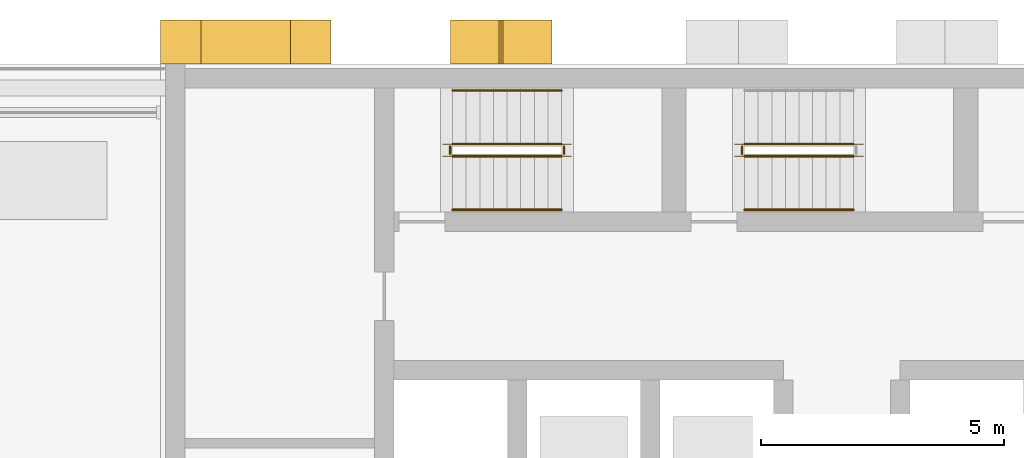
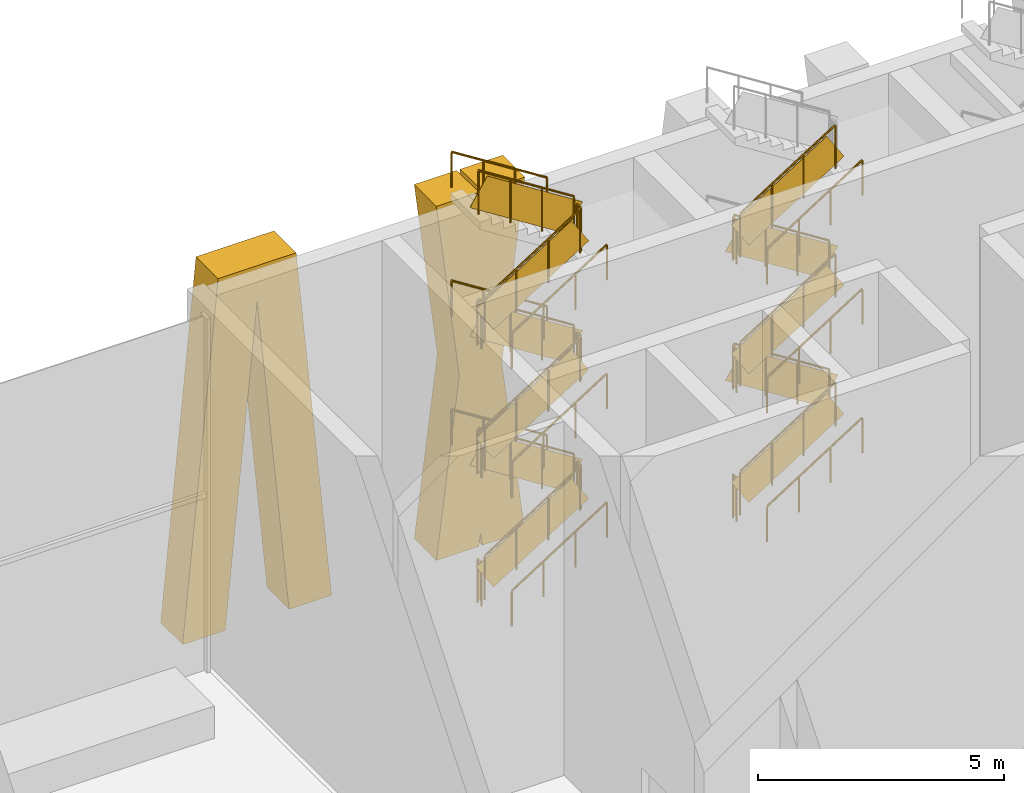
# One storey, part 12 of 15: 29 railings, 2 shading devices.
"""IFC4 building model written with IfcOpenShell, lengths in metres."""

from ifc_helpers import new_model, si_unit, direction, frame, origin, origin_2d, place, context, subcontext, project, spatial, polyline, rectangle, circle, outline, extrude, material, layer, layer_set, type_object, element, save


model = new_model("IFC4")

# Units and contexts
model_context = context("Model", 3, precision=1e-05, world=origin(), true_north=direction((0.0, 1.0)))
body_context = subcontext(model_context, "Body", "Model", "MODEL_VIEW")
ifc_project = project(units=[si_unit("LENGTHUNIT", "METRE"), si_unit("AREAUNIT", "SQUARE_METRE"), si_unit("VOLUMEUNIT", "CUBIC_METRE"), si_unit("PLANEANGLEUNIT", "RADIAN"), si_unit("MASSUNIT", "GRAM", prefix="KILO")], contexts=[model_context])

# Site, building, storey
site_placement = place(None, origin())
site = spatial("IfcSite", under=ifc_project, at=site_placement, CompositionType="ELEMENT")
building_placement = place(site_placement, origin())
building = spatial("IfcBuilding", under=site, at=building_placement, Name="Vidyagriha Tower", CompositionType="ELEMENT")
storey_placement = place(building_placement, frame((0.0, 0.0, 239.60009765625)))
storey = spatial("IfcBuildingStorey", under=building, at=storey_placement, Name="L63", CompositionType="ELEMENT", Elevation=239.60009765625)

# Shading devices
ifc_material_1 = material(Name="Precast concrete C40/50 with brick facing", Category="concrete")
ifc_layer = layer(ifc_material_1, 1.0)
ifc_layer_set = layer_set([ifc_layer], Name="Precast concrete C40/50 with brick facing")
shading_device_type = type_object("IfcShadingDeviceType", Name="Brick-faced rear rib forking 8 degrees", PredefinedType="USERDEFINED", material=ifc_layer_set)
shading_device_1_placement = place(storey_placement, frame((-5.9599609375, 20.449951171875, 0.0), z_axis=(0.0, 0.0, 1.0), x_axis=(-1.0, 0.0, 0.0)))
element("IfcShadingDevice", 1, at=shading_device_1_placement, inside=storey, type_object=shading_device_type, Name="Rear rib fork L63 R08.4a", ObjectType="BLADE FIN", PredefinedType="USERDEFINED", context=body_context, shape_type="SweptSolid", body=[
    extrude(outline(polyline([(1.0, 0.0), (1.0400390625, 0.32568359375), (1.080078125, 0.0), (2.080078125, 0.0), (1.5400390625, 4.39990234375), (2.080078125, 8.7998046875), (1.080078125, 8.7998046875), (1.0400390625, 8.47412109375), (1.0, 8.7998046875), (0.0, 8.7998046875), (0.5400390625, 4.39990234375), (0.0, 0.0), (1.0, 0.0)])), frame((0.0, 0.449951171875, 0.0), z_axis=(0.0, -1.0, 0.0), x_axis=(1.0, 0.0, 0.0)), (0.0, 0.0, 1.0), 0.89990234375),
])
shading_device_2_placement = place(storey_placement, frame((-10.5, 20.449951171875, 0.0), z_axis=(0.0, 0.0, 1.0), x_axis=(-1.0, 0.0, 0.0)))
element("IfcShadingDevice", 2, at=shading_device_2_placement, inside=storey, type_object=shading_device_type, Name="Rear rib fork L63 R08.5a", ObjectType="BLADE FIN", PredefinedType="USERDEFINED", context=body_context, shape_type="SweptSolid", body=[
    extrude(outline(polyline([(1.0, 0.0), (1.75, 7.919921875), (2.5, 0.0), (3.5, 0.0), (2.666748046875, 8.7998046875), (0.833251953125, 8.7998046875), (0.0, 0.0), (1.0, 0.0)])), frame((0.0, 0.449951171875, 0.0), z_axis=(0.0, -1.0, 0.0), x_axis=(1.0, 0.0, 0.0)), (0.0, 0.0, 1.0), 0.89990234375),
])

# Railings
ifc_material_2 = material(Name="Steel ASTM A500 Grade C", Category="steel")
railing_type_1 = type_object("IfcRailingType", Name="Stair guard 1100 mm, steel balustrade", PredefinedType="GUARDRAIL", material=ifc_material_2)
railing_1_placement = place(storey_placement, frame((-8.0, 18.10009765625, 0.177734375)))
element("IfcRailing", 3, at=railing_1_placement, inside=storey, type_object=railing_type_1, Name="L63 ST1 stair guard 1", PredefinedType="GUARDRAIL", context=body_context, shape_type="SweptSolid", body=[
    extrude(circle(Radius=0.02392578125, at=origin_2d()), frame((0.0, 0.0, 1.076171875), z_axis=(0.8442293374, 0.0, 0.53598211339), x_axis=(0.0, 1.0, 0.0)), (0.0, 0.0, 1.0), 2.6533203125),
    extrude(circle(Radius=0.02099609375, at=origin_2d()), origin(), (0.0, 0.0, 1.0), 1.052001953125),
    extrude(circle(Radius=0.02099609375, at=origin_2d()), frame((0.74658203125, 0.0, 0.47412109375)), (0.0, 0.0, 1.0), 1.052001953125),
    extrude(circle(Radius=0.02099609375, at=origin_2d()), frame((1.493408203125, 0.0, 0.947998046875)), (0.0, 0.0, 1.0), 1.052001953125),
    extrude(circle(Radius=0.02099609375, at=origin_2d()), frame((2.239990234375, 0.0, 1.422119140625)), (0.0, 0.0, 1.0), 1.052001953125),
    extrude(rectangle(XDim=0.010009765625, YDim=0.761474609375, at=origin_2d()), frame((0.0, 0.0, 0.551025390625), z_axis=(0.8442293374, 0.0, 0.53598211339), x_axis=(0.0, 1.0, 0.0)), (0.0, 0.0, 1.0), 2.6533203125),
])
railing_2_placement = place(storey_placement, frame((-5.7099609375, 18.14990234375, 1.599853515625)))
element("IfcRailing", 4, at=railing_2_placement, inside=storey, type_object=railing_type_1, Name="L63 ST1 stair guard 2", PredefinedType="GUARDRAIL", context=body_context, shape_type="SweptSolid", body=[
    extrude(circle(Radius=0.02392578125, at=origin_2d()), frame((0.0, 0.0, 1.076171875), z_axis=(0.0, 1.0, 0.0), x_axis=(-1.0, 0.0, 0.0)), (0.0, 0.0, 1.0), 0.150146484375),
    extrude(circle(Radius=0.02099609375, at=origin_2d()), origin(), (0.0, 0.0, 1.0), 1.052001953125),
    extrude(circle(Radius=0.02099609375, at=origin_2d()), frame((0.0, 0.150146484375, 0.0)), (0.0, 0.0, 1.0), 1.052001953125),
    extrude(rectangle(XDim=0.010009765625, YDim=0.902099609375, at=origin_2d()), frame((0.0, 0.0, 0.551025390625), z_axis=(0.0, 1.0, 0.0), x_axis=(-1.0, 0.0, 0.0)), (0.0, 0.0, 1.0), 0.150146484375),
])
railing_3_placement = place(storey_placement, frame((-5.760009765625, 18.35009765625, 1.777587890625)))
element("IfcRailing", 5, at=railing_3_placement, inside=storey, type_object=railing_type_1, Name="L63 ST1 stair guard 3", PredefinedType="GUARDRAIL", context=body_context, shape_type="SweptSolid", body=[
    extrude(circle(Radius=0.02392578125, at=origin_2d()), frame((0.0, 0.0, 1.076171875), z_axis=(-0.84418770128, 0.0, 0.536047689118), x_axis=(0.0, -1.0, 0.0)), (0.0, 0.0, 1.0), 2.6533203125),
    extrude(circle(Radius=0.02099609375, at=origin_2d()), origin(), (0.0, 0.0, 1.0), 1.052001953125),
    extrude(circle(Radius=0.02099609375, at=origin_2d()), frame((-0.74658203125, 0.0, 0.47412109375)), (0.0, 0.0, 1.0), 1.052001953125),
    extrude(circle(Radius=0.02099609375, at=origin_2d()), frame((-1.493408203125, 0.0, 0.9482421875)), (0.0, 0.0, 1.0), 1.052001953125),
    extrude(circle(Radius=0.02099609375, at=origin_2d()), frame((-2.239990234375, 0.0, 1.42236328125)), (0.0, 0.0, 1.0), 1.052001953125),
    extrude(rectangle(XDim=0.010009765625, YDim=0.761474609375, at=origin_2d()), frame((0.0, 0.0, 0.551025390625), z_axis=(-0.84418770128, 0.0, 0.536047689118), x_axis=(0.0, -1.0, 0.0)), (0.0, 0.0, 1.0), 2.6533203125),
])
railing_4_placement = place(storey_placement, frame((-8.050048828125, 18.14990234375, 3.199951171875)))
element("IfcRailing", 6, at=railing_4_placement, inside=storey, type_object=railing_type_1, Name="L63 ST1 stair guard 4", PredefinedType="GUARDRAIL", context=body_context, shape_type="SweptSolid", body=[
    extrude(circle(Radius=0.02392578125, at=origin_2d()), frame((0.0, 0.0, 1.076171875), z_axis=(0.0, 1.0, 0.0), x_axis=(-1.0, 0.0, 0.0)), (0.0, 0.0, 1.0), 0.150146484375),
    extrude(circle(Radius=0.02099609375, at=origin_2d()), origin(), (0.0, 0.0, 1.0), 1.052001953125),
    extrude(circle(Radius=0.02099609375, at=origin_2d()), frame((0.0, 0.150146484375, 0.0)), (0.0, 0.0, 1.0), 1.052001953125),
    extrude(rectangle(XDim=0.010009765625, YDim=0.902099609375, at=origin_2d()), frame((0.0, 0.0, 0.551025390625), z_axis=(0.0, 1.0, 0.0), x_axis=(-1.0, 0.0, 0.0)), (0.0, 0.0, 1.0), 0.150146484375),
])
railing_5_placement = place(storey_placement, frame((-8.0, 18.10009765625, 3.377685546875)))
element("IfcRailing", 7, at=railing_5_placement, inside=storey, type_object=railing_type_1, Name="L63 ST1 stair guard 5", PredefinedType="GUARDRAIL", context=body_context, shape_type="SweptSolid", body=[
    extrude(circle(Radius=0.02392578125, at=origin_2d()), frame((0.0, 0.0, 1.076171875), z_axis=(0.8442293374, 0.0, 0.53598211339), x_axis=(0.0, 1.0, 0.0)), (0.0, 0.0, 1.0), 2.6533203125),
    extrude(circle(Radius=0.02099609375, at=origin_2d()), origin(), (0.0, 0.0, 1.0), 1.052001953125),
    extrude(circle(Radius=0.02099609375, at=origin_2d()), frame((0.74658203125, 0.0, 0.47412109375)), (0.0, 0.0, 1.0), 1.052001953125),
    extrude(circle(Radius=0.02099609375, at=origin_2d()), frame((1.493408203125, 0.0, 0.947998046875)), (0.0, 0.0, 1.0), 1.052001953125),
    extrude(circle(Radius=0.02099609375, at=origin_2d()), frame((2.239990234375, 0.0, 1.422119140625)), (0.0, 0.0, 1.0), 1.052001953125),
    extrude(rectangle(XDim=0.010009765625, YDim=0.761474609375, at=origin_2d()), frame((0.0, 0.0, 0.551025390625), z_axis=(0.8442293374, 0.0, 0.53598211339), x_axis=(0.0, 1.0, 0.0)), (0.0, 0.0, 1.0), 2.6533203125),
])
railing_6_placement = place(storey_placement, frame((-5.7099609375, 18.14990234375, 4.7998046875)))
element("IfcRailing", 8, at=railing_6_placement, inside=storey, type_object=railing_type_1, Name="L63 ST1 stair guard 6", PredefinedType="GUARDRAIL", context=body_context, shape_type="SweptSolid", body=[
    extrude(circle(Radius=0.02392578125, at=origin_2d()), frame((0.0, 0.0, 1.076171875), z_axis=(0.0, 1.0, 0.0), x_axis=(-1.0, 0.0, 0.0)), (0.0, 0.0, 1.0), 0.150146484375),
    extrude(circle(Radius=0.02099609375, at=origin_2d()), origin(), (0.0, 0.0, 1.0), 1.052001953125),
    extrude(circle(Radius=0.02099609375, at=origin_2d()), frame((0.0, 0.150146484375, 0.0)), (0.0, 0.0, 1.0), 1.052001953125),
    extrude(rectangle(XDim=0.010009765625, YDim=0.902099609375, at=origin_2d()), frame((0.0, 0.0, 0.551025390625), z_axis=(0.0, 1.0, 0.0), x_axis=(-1.0, 0.0, 0.0)), (0.0, 0.0, 1.0), 0.150146484375),
])
railing_7_placement = place(storey_placement, frame((-5.760009765625, 18.35009765625, 4.977783203125)))
element("IfcRailing", 9, at=railing_7_placement, inside=storey, type_object=railing_type_1, Name="L63 ST1 stair guard 7", PredefinedType="GUARDRAIL", context=body_context, shape_type="SweptSolid", body=[
    extrude(circle(Radius=0.02392578125, at=origin_2d()), frame((0.0, 0.0, 1.076171875), z_axis=(-0.8442293374, 0.0, 0.53598211339), x_axis=(0.0, -1.0, 0.0)), (0.0, 0.0, 1.0), 2.6533203125),
    extrude(circle(Radius=0.02099609375, at=origin_2d()), origin(), (0.0, 0.0, 1.0), 1.052001953125),
    extrude(circle(Radius=0.02099609375, at=origin_2d()), frame((-0.74658203125, 0.0, 0.47412109375)), (0.0, 0.0, 1.0), 1.052001953125),
    extrude(circle(Radius=0.02099609375, at=origin_2d()), frame((-1.493408203125, 0.0, 0.947998046875)), (0.0, 0.0, 1.0), 1.052001953125),
    extrude(circle(Radius=0.02099609375, at=origin_2d()), frame((-2.239990234375, 0.0, 1.422119140625)), (0.0, 0.0, 1.0), 1.052001953125),
    extrude(rectangle(XDim=0.010009765625, YDim=0.761474609375, at=origin_2d()), frame((0.0, 0.0, 0.551025390625), z_axis=(-0.8442293374, 0.0, 0.53598211339), x_axis=(0.0, -1.0, 0.0)), (0.0, 0.0, 1.0), 2.6533203125),
])
railing_8_placement = place(storey_placement, frame((-8.050048828125, 18.14990234375, 6.39990234375)))
element("IfcRailing", 10, at=railing_8_placement, inside=storey, type_object=railing_type_1, Name="L63 ST1 stair guard 8", PredefinedType="GUARDRAIL", context=body_context, shape_type="SweptSolid", body=[
    extrude(circle(Radius=0.02392578125, at=origin_2d()), frame((0.0, 0.0, 1.076171875), z_axis=(0.0, 1.0, 0.0), x_axis=(-1.0, 0.0, 0.0)), (0.0, 0.0, 1.0), 0.150146484375),
    extrude(circle(Radius=0.02099609375, at=origin_2d()), origin(), (0.0, 0.0, 1.0), 1.052001953125),
    extrude(circle(Radius=0.02099609375, at=origin_2d()), frame((0.0, 0.150146484375, 0.0)), (0.0, 0.0, 1.0), 1.052001953125),
    extrude(rectangle(XDim=0.010009765625, YDim=0.902099609375, at=origin_2d()), frame((0.0, 0.0, 0.551025390625), z_axis=(0.0, 1.0, 0.0), x_axis=(-1.0, 0.0, 0.0)), (0.0, 0.0, 1.0), 0.150146484375),
])
railing_9_placement = place(storey_placement, frame((-8.0, 18.10009765625, 6.57763671875)))
element("IfcRailing", 11, at=railing_9_placement, inside=storey, type_object=railing_type_1, Name="L63 ST1 stair guard 9", PredefinedType="GUARDRAIL", context=body_context, shape_type="SweptSolid", body=[
    extrude(circle(Radius=0.02392578125, at=origin_2d()), frame((0.0, 0.0, 1.076171875), z_axis=(0.84418770128, 0.0, 0.536047689118), x_axis=(0.0, 1.0, 0.0)), (0.0, 0.0, 1.0), 2.6533203125),
    extrude(circle(Radius=0.02099609375, at=origin_2d()), origin(), (0.0, 0.0, 1.0), 1.052001953125),
    extrude(circle(Radius=0.02099609375, at=origin_2d()), frame((0.74658203125, 0.0, 0.47412109375)), (0.0, 0.0, 1.0), 1.052001953125),
    extrude(circle(Radius=0.02099609375, at=origin_2d()), frame((1.493408203125, 0.0, 0.9482421875)), (0.0, 0.0, 1.0), 1.052001953125),
    extrude(circle(Radius=0.02099609375, at=origin_2d()), frame((2.239990234375, 0.0, 1.42236328125)), (0.0, 0.0, 1.0), 1.052001953125),
    extrude(rectangle(XDim=0.010009765625, YDim=0.761474609375, at=origin_2d()), frame((0.0, 0.0, 0.551025390625), z_axis=(0.84418770128, 0.0, 0.536047689118), x_axis=(0.0, 1.0, 0.0)), (0.0, 0.0, 1.0), 2.6533203125),
])
railing_10_placement = place(storey_placement, frame((-5.7099609375, 18.14990234375, 8.0)))
element("IfcRailing", 12, at=railing_10_placement, inside=storey, type_object=railing_type_1, Name="L63 ST1 stair guard 10", PredefinedType="GUARDRAIL", context=body_context, shape_type="SweptSolid", body=[
    extrude(circle(Radius=0.02392578125, at=origin_2d()), frame((0.0, 0.0, 1.076171875), z_axis=(0.0, 1.0, 0.0), x_axis=(-1.0, 0.0, 0.0)), (0.0, 0.0, 1.0), 0.150146484375),
    extrude(circle(Radius=0.02099609375, at=origin_2d()), origin(), (0.0, 0.0, 1.0), 1.052001953125),
    extrude(circle(Radius=0.02099609375, at=origin_2d()), frame((0.0, 0.150146484375, 0.0)), (0.0, 0.0, 1.0), 1.052001953125),
    extrude(rectangle(XDim=0.010009765625, YDim=0.902099609375, at=origin_2d()), frame((0.0, 0.0, 0.551025390625), z_axis=(0.0, 1.0, 0.0), x_axis=(-1.0, 0.0, 0.0)), (0.0, 0.0, 1.0), 0.150146484375),
])
railing_11_placement = place(storey_placement, frame((-5.760009765625, 18.35009765625, 8.177734375)))
element("IfcRailing", 13, at=railing_11_placement, inside=storey, type_object=railing_type_1, Name="L63 ST1 stair guard 11", PredefinedType="GUARDRAIL", context=body_context, shape_type="SweptSolid", body=[
    extrude(circle(Radius=0.02392578125, at=origin_2d()), frame((0.0, 0.0, 1.076171875), z_axis=(-0.8442293374, 0.0, 0.53598211339), x_axis=(0.0, -1.0, 0.0)), (0.0, 0.0, 1.0), 2.6533203125),
    extrude(circle(Radius=0.02099609375, at=origin_2d()), origin(), (0.0, 0.0, 1.0), 1.052001953125),
    extrude(circle(Radius=0.02099609375, at=origin_2d()), frame((-0.74658203125, 0.0, 0.47412109375)), (0.0, 0.0, 1.0), 1.052001953125),
    extrude(circle(Radius=0.02099609375, at=origin_2d()), frame((-1.493408203125, 0.0, 0.947998046875)), (0.0, 0.0, 1.0), 1.052001953125),
    extrude(circle(Radius=0.02099609375, at=origin_2d()), frame((-2.239990234375, 0.0, 1.422119140625)), (0.0, 0.0, 1.0), 1.052001953125),
    extrude(rectangle(XDim=0.010009765625, YDim=0.761474609375, at=origin_2d()), frame((0.0, 0.0, 0.551025390625), z_axis=(-0.8442293374, 0.0, 0.53598211339), x_axis=(0.0, -1.0, 0.0)), (0.0, 0.0, 1.0), 2.6533203125),
])
railing_12_placement = place(storey_placement, frame((-8.050048828125, 18.14990234375, 0.0)))
element("IfcRailing", 14, at=railing_12_placement, inside=storey, type_object=railing_type_1, Name="L63 ST1 stair guard 12", PredefinedType="GUARDRAIL", context=body_context, shape_type="SweptSolid", body=[
    extrude(circle(Radius=0.02392578125, at=origin_2d()), frame((0.0, 0.0, 1.076171875), z_axis=(0.0, 1.0, 0.0), x_axis=(-1.0, 0.0, 0.0)), (0.0, 0.0, 1.0), 0.150146484375),
    extrude(circle(Radius=0.02099609375, at=origin_2d()), origin(), (0.0, 0.0, 1.0), 1.052001953125),
    extrude(circle(Radius=0.02099609375, at=origin_2d()), frame((0.0, 0.150146484375, 0.0)), (0.0, 0.0, 1.0), 1.052001953125),
    extrude(rectangle(XDim=0.010009765625, YDim=0.902099609375, at=origin_2d()), frame((0.0, 0.0, 0.551025390625), z_axis=(0.0, 1.0, 0.0), x_axis=(-1.0, 0.0, 0.0)), (0.0, 0.0, 1.0), 0.150146484375),
])
railing_13_placement = place(storey_placement, frame((-2.0, 18.10009765625, 0.177734375)))
element("IfcRailing", 15, at=railing_13_placement, inside=storey, type_object=railing_type_1, Name="L63 ST2 stair guard 1", PredefinedType="GUARDRAIL", context=body_context, shape_type="SweptSolid", body=[
    extrude(circle(Radius=0.02392578125, at=origin_2d()), frame((0.0, 0.0, 1.076171875), z_axis=(0.8442293374, 0.0, 0.53598211339), x_axis=(0.0, 1.0, 0.0)), (0.0, 0.0, 1.0), 2.6533203125),
    extrude(circle(Radius=0.02099609375, at=origin_2d()), origin(), (0.0, 0.0, 1.0), 1.052001953125),
    extrude(circle(Radius=0.02099609375, at=origin_2d()), frame((0.74658203125, 0.0, 0.47412109375)), (0.0, 0.0, 1.0), 1.052001953125),
    extrude(circle(Radius=0.02099609375, at=origin_2d()), frame((1.493408203125, 0.0, 0.947998046875)), (0.0, 0.0, 1.0), 1.052001953125),
    extrude(circle(Radius=0.02099609375, at=origin_2d()), frame((2.239990234375, 0.0, 1.422119140625)), (0.0, 0.0, 1.0), 1.052001953125),
    extrude(rectangle(XDim=0.010009765625, YDim=0.761474609375, at=origin_2d()), frame((0.0, 0.0, 0.551025390625), z_axis=(0.8442293374, 0.0, 0.53598211339), x_axis=(0.0, 1.0, 0.0)), (0.0, 0.0, 1.0), 2.6533203125),
])
railing_14_placement = place(storey_placement, frame((0.239990234375, 18.35009765625, 1.777587890625)))
element("IfcRailing", 16, at=railing_14_placement, inside=storey, type_object=railing_type_1, Name="L63 ST2 stair guard 3", PredefinedType="GUARDRAIL", context=body_context, shape_type="SweptSolid", body=[
    extrude(circle(Radius=0.02392578125, at=origin_2d()), frame((0.0, 0.0, 1.076171875), z_axis=(-0.84418770128, 0.0, 0.536047689118), x_axis=(0.0, -1.0, 0.0)), (0.0, 0.0, 1.0), 2.6533203125),
    extrude(circle(Radius=0.02099609375, at=origin_2d()), origin(), (0.0, 0.0, 1.0), 1.052001953125),
    extrude(circle(Radius=0.02099609375, at=origin_2d()), frame((-0.74658203125, 0.0, 0.47412109375)), (0.0, 0.0, 1.0), 1.052001953125),
    extrude(circle(Radius=0.02099609375, at=origin_2d()), frame((-1.493408203125, 0.0, 0.9482421875)), (0.0, 0.0, 1.0), 1.052001953125),
    extrude(circle(Radius=0.02099609375, at=origin_2d()), frame((-2.239990234375, 0.0, 1.42236328125)), (0.0, 0.0, 1.0), 1.052001953125),
    extrude(rectangle(XDim=0.010009765625, YDim=0.761474609375, at=origin_2d()), frame((0.0, 0.0, 0.551025390625), z_axis=(-0.84418770128, 0.0, 0.536047689118), x_axis=(0.0, -1.0, 0.0)), (0.0, 0.0, 1.0), 2.6533203125),
])
railing_15_placement = place(storey_placement, frame((-2.050048828125, 18.14990234375, 3.199951171875)))
element("IfcRailing", 17, at=railing_15_placement, inside=storey, type_object=railing_type_1, Name="L63 ST2 stair guard 4", PredefinedType="GUARDRAIL", context=body_context, shape_type="SweptSolid", body=[
    extrude(circle(Radius=0.02392578125, at=origin_2d()), frame((0.0, 0.0, 1.076171875), z_axis=(0.0, 1.0, 0.0), x_axis=(-1.0, 0.0, 0.0)), (0.0, 0.0, 1.0), 0.150146484375),
    extrude(circle(Radius=0.02099609375, at=origin_2d()), origin(), (0.0, 0.0, 1.0), 1.052001953125),
    extrude(circle(Radius=0.02099609375, at=origin_2d()), frame((0.0, 0.150146484375, 0.0)), (0.0, 0.0, 1.0), 1.052001953125),
    extrude(rectangle(XDim=0.010009765625, YDim=0.902099609375, at=origin_2d()), frame((0.0, 0.0, 0.551025390625), z_axis=(0.0, 1.0, 0.0), x_axis=(-1.0, 0.0, 0.0)), (0.0, 0.0, 1.0), 0.150146484375),
])
railing_16_placement = place(storey_placement, frame((-2.0, 18.10009765625, 3.377685546875)))
element("IfcRailing", 18, at=railing_16_placement, inside=storey, type_object=railing_type_1, Name="L63 ST2 stair guard 5", PredefinedType="GUARDRAIL", context=body_context, shape_type="SweptSolid", body=[
    extrude(circle(Radius=0.02392578125, at=origin_2d()), frame((0.0, 0.0, 1.076171875), z_axis=(0.8442293374, 0.0, 0.53598211339), x_axis=(0.0, 1.0, 0.0)), (0.0, 0.0, 1.0), 2.6533203125),
    extrude(circle(Radius=0.02099609375, at=origin_2d()), origin(), (0.0, 0.0, 1.0), 1.052001953125),
    extrude(circle(Radius=0.02099609375, at=origin_2d()), frame((0.74658203125, 0.0, 0.47412109375)), (0.0, 0.0, 1.0), 1.052001953125),
    extrude(circle(Radius=0.02099609375, at=origin_2d()), frame((1.493408203125, 0.0, 0.947998046875)), (0.0, 0.0, 1.0), 1.052001953125),
    extrude(circle(Radius=0.02099609375, at=origin_2d()), frame((2.239990234375, 0.0, 1.422119140625)), (0.0, 0.0, 1.0), 1.052001953125),
    extrude(rectangle(XDim=0.010009765625, YDim=0.761474609375, at=origin_2d()), frame((0.0, 0.0, 0.551025390625), z_axis=(0.8442293374, 0.0, 0.53598211339), x_axis=(0.0, 1.0, 0.0)), (0.0, 0.0, 1.0), 2.6533203125),
])
railing_17_placement = place(storey_placement, frame((0.239990234375, 18.35009765625, 4.977783203125)))
element("IfcRailing", 19, at=railing_17_placement, inside=storey, type_object=railing_type_1, Name="L63 ST2 stair guard 7", PredefinedType="GUARDRAIL", context=body_context, shape_type="SweptSolid", body=[
    extrude(circle(Radius=0.02392578125, at=origin_2d()), frame((0.0, 0.0, 1.076171875), z_axis=(-0.8442293374, 0.0, 0.53598211339), x_axis=(0.0, -1.0, 0.0)), (0.0, 0.0, 1.0), 2.6533203125),
    extrude(circle(Radius=0.02099609375, at=origin_2d()), origin(), (0.0, 0.0, 1.0), 1.052001953125),
    extrude(circle(Radius=0.02099609375, at=origin_2d()), frame((-0.74658203125, 0.0, 0.47412109375)), (0.0, 0.0, 1.0), 1.052001953125),
    extrude(circle(Radius=0.02099609375, at=origin_2d()), frame((-1.493408203125, 0.0, 0.947998046875)), (0.0, 0.0, 1.0), 1.052001953125),
    extrude(circle(Radius=0.02099609375, at=origin_2d()), frame((-2.239990234375, 0.0, 1.422119140625)), (0.0, 0.0, 1.0), 1.052001953125),
    extrude(rectangle(XDim=0.010009765625, YDim=0.761474609375, at=origin_2d()), frame((0.0, 0.0, 0.551025390625), z_axis=(-0.8442293374, 0.0, 0.53598211339), x_axis=(0.0, -1.0, 0.0)), (0.0, 0.0, 1.0), 2.6533203125),
])
railing_18_placement = place(storey_placement, frame((-2.050048828125, 18.14990234375, 6.39990234375)))
element("IfcRailing", 20, at=railing_18_placement, inside=storey, type_object=railing_type_1, Name="L63 ST2 stair guard 8", PredefinedType="GUARDRAIL", context=body_context, shape_type="SweptSolid", body=[
    extrude(circle(Radius=0.02392578125, at=origin_2d()), frame((0.0, 0.0, 1.076171875), z_axis=(0.0, 1.0, 0.0), x_axis=(-1.0, 0.0, 0.0)), (0.0, 0.0, 1.0), 0.150146484375),
    extrude(circle(Radius=0.02099609375, at=origin_2d()), origin(), (0.0, 0.0, 1.0), 1.052001953125),
    extrude(circle(Radius=0.02099609375, at=origin_2d()), frame((0.0, 0.150146484375, 0.0)), (0.0, 0.0, 1.0), 1.052001953125),
    extrude(rectangle(XDim=0.010009765625, YDim=0.902099609375, at=origin_2d()), frame((0.0, 0.0, 0.551025390625), z_axis=(0.0, 1.0, 0.0), x_axis=(-1.0, 0.0, 0.0)), (0.0, 0.0, 1.0), 0.150146484375),
])
railing_19_placement = place(storey_placement, frame((-2.0, 18.10009765625, 6.57763671875)))
element("IfcRailing", 21, at=railing_19_placement, inside=storey, type_object=railing_type_1, Name="L63 ST2 stair guard 9", PredefinedType="GUARDRAIL", context=body_context, shape_type="SweptSolid", body=[
    extrude(circle(Radius=0.02392578125, at=origin_2d()), frame((0.0, 0.0, 1.076171875), z_axis=(0.84418770128, 0.0, 0.536047689118), x_axis=(0.0, 1.0, 0.0)), (0.0, 0.0, 1.0), 2.6533203125),
    extrude(circle(Radius=0.02099609375, at=origin_2d()), origin(), (0.0, 0.0, 1.0), 1.052001953125),
    extrude(circle(Radius=0.02099609375, at=origin_2d()), frame((0.74658203125, 0.0, 0.47412109375)), (0.0, 0.0, 1.0), 1.052001953125),
    extrude(circle(Radius=0.02099609375, at=origin_2d()), frame((1.493408203125, 0.0, 0.9482421875)), (0.0, 0.0, 1.0), 1.052001953125),
    extrude(circle(Radius=0.02099609375, at=origin_2d()), frame((2.239990234375, 0.0, 1.42236328125)), (0.0, 0.0, 1.0), 1.052001953125),
    extrude(rectangle(XDim=0.010009765625, YDim=0.761474609375, at=origin_2d()), frame((0.0, 0.0, 0.551025390625), z_axis=(0.84418770128, 0.0, 0.536047689118), x_axis=(0.0, 1.0, 0.0)), (0.0, 0.0, 1.0), 2.6533203125),
])
railing_20_placement = place(storey_placement, frame((-2.050048828125, 18.14990234375, 0.0)))
element("IfcRailing", 22, at=railing_20_placement, inside=storey, type_object=railing_type_1, Name="L63 ST2 stair guard 12", PredefinedType="GUARDRAIL", context=body_context, shape_type="SweptSolid", body=[
    extrude(circle(Radius=0.02392578125, at=origin_2d()), frame((0.0, 0.0, 1.076171875), z_axis=(0.0, 1.0, 0.0), x_axis=(-1.0, 0.0, 0.0)), (0.0, 0.0, 1.0), 0.150146484375),
    extrude(circle(Radius=0.02099609375, at=origin_2d()), origin(), (0.0, 0.0, 1.0), 1.052001953125),
    extrude(circle(Radius=0.02099609375, at=origin_2d()), frame((0.0, 0.150146484375, 0.0)), (0.0, 0.0, 1.0), 1.052001953125),
    extrude(rectangle(XDim=0.010009765625, YDim=0.902099609375, at=origin_2d()), frame((0.0, 0.0, 0.551025390625), z_axis=(0.0, 1.0, 0.0), x_axis=(-1.0, 0.0, 0.0)), (0.0, 0.0, 1.0), 0.150146484375),
])
ifc_material_3 = material(Name="Steel ASTM A500 Grade C", Category="steel")
railing_type_2 = type_object("IfcRailingType", Name="Stair handrail 900 mm, steel", PredefinedType="HANDRAIL", material=ifc_material_3)
railing_21_placement = place(storey_placement, frame((-8.0, 17.0, 0.177734375)))
element("IfcRailing", 23, at=railing_21_placement, inside=storey, type_object=railing_type_2, Name="L63 ST1 stair handrail 1", PredefinedType="HANDRAIL", context=body_context, shape_type="SweptSolid", body=[
    extrude(circle(Radius=0.02392578125, at=origin_2d()), frame((0.0, 0.0, 0.8759765625), z_axis=(0.8442293374, 0.0, 0.53598211339), x_axis=(0.0, 1.0, 0.0)), (0.0, 0.0, 1.0), 2.6533203125),
    extrude(circle(Radius=0.02099609375, at=origin_2d()), origin(), (0.0, 0.0, 1.0), 0.851806640625),
    extrude(circle(Radius=0.02099609375, at=origin_2d()), frame((0.74658203125, 0.0, 0.47412109375)), (0.0, 0.0, 1.0), 0.851806640625),
    extrude(circle(Radius=0.02099609375, at=origin_2d()), frame((1.493408203125, 0.0, 0.947998046875)), (0.0, 0.0, 1.0), 0.851806640625),
    extrude(circle(Radius=0.02099609375, at=origin_2d()), frame((2.239990234375, 0.0, 1.422119140625)), (0.0, 0.0, 1.0), 0.851806640625),
])
railing_22_placement = place(storey_placement, frame((-5.760009765625, 19.449951171875, 1.777587890625)))
element("IfcRailing", 24, at=railing_22_placement, inside=storey, type_object=railing_type_2, Name="L63 ST1 stair handrail 2", PredefinedType="HANDRAIL", context=body_context, shape_type="SweptSolid", body=[
    extrude(circle(Radius=0.02392578125, at=origin_2d()), frame((0.0, 0.0, 0.8759765625), z_axis=(-0.84418770128, 0.0, 0.536047689118), x_axis=(0.0, -1.0, 0.0)), (0.0, 0.0, 1.0), 2.6533203125),
    extrude(circle(Radius=0.02099609375, at=origin_2d()), origin(), (0.0, 0.0, 1.0), 0.851806640625),
    extrude(circle(Radius=0.02099609375, at=origin_2d()), frame((-0.74658203125, 0.0, 0.47412109375)), (0.0, 0.0, 1.0), 0.851806640625),
    extrude(circle(Radius=0.02099609375, at=origin_2d()), frame((-1.493408203125, 0.0, 0.9482421875)), (0.0, 0.0, 1.0), 0.851806640625),
    extrude(circle(Radius=0.02099609375, at=origin_2d()), frame((-2.239990234375, 0.0, 1.42236328125)), (0.0, 0.0, 1.0), 0.851806640625),
])
railing_23_placement = place(storey_placement, frame((-8.0, 17.0, 3.377685546875)))
element("IfcRailing", 25, at=railing_23_placement, inside=storey, type_object=railing_type_2, Name="L63 ST1 stair handrail 3", PredefinedType="HANDRAIL", context=body_context, shape_type="SweptSolid", body=[
    extrude(circle(Radius=0.02392578125, at=origin_2d()), frame((0.0, 0.0, 0.8759765625), z_axis=(0.8442293374, 0.0, 0.53598211339), x_axis=(0.0, 1.0, 0.0)), (0.0, 0.0, 1.0), 2.6533203125),
    extrude(circle(Radius=0.02099609375, at=origin_2d()), origin(), (0.0, 0.0, 1.0), 0.851806640625),
    extrude(circle(Radius=0.02099609375, at=origin_2d()), frame((0.74658203125, 0.0, 0.47412109375)), (0.0, 0.0, 1.0), 0.851806640625),
    extrude(circle(Radius=0.02099609375, at=origin_2d()), frame((1.493408203125, 0.0, 0.947998046875)), (0.0, 0.0, 1.0), 0.851806640625),
    extrude(circle(Radius=0.02099609375, at=origin_2d()), frame((2.239990234375, 0.0, 1.422119140625)), (0.0, 0.0, 1.0), 0.851806640625),
])
railing_24_placement = place(storey_placement, frame((-5.760009765625, 19.449951171875, 4.977783203125)))
element("IfcRailing", 26, at=railing_24_placement, inside=storey, type_object=railing_type_2, Name="L63 ST1 stair handrail 4", PredefinedType="HANDRAIL", context=body_context, shape_type="SweptSolid", body=[
    extrude(circle(Radius=0.02392578125, at=origin_2d()), frame((0.0, 0.0, 0.8759765625), z_axis=(-0.8442293374, 0.0, 0.53598211339), x_axis=(0.0, -1.0, 0.0)), (0.0, 0.0, 1.0), 2.6533203125),
    extrude(circle(Radius=0.02099609375, at=origin_2d()), origin(), (0.0, 0.0, 1.0), 0.851806640625),
    extrude(circle(Radius=0.02099609375, at=origin_2d()), frame((-0.74658203125, 0.0, 0.47412109375)), (0.0, 0.0, 1.0), 0.851806640625),
    extrude(circle(Radius=0.02099609375, at=origin_2d()), frame((-1.493408203125, 0.0, 0.947998046875)), (0.0, 0.0, 1.0), 0.851806640625),
    extrude(circle(Radius=0.02099609375, at=origin_2d()), frame((-2.239990234375, 0.0, 1.422119140625)), (0.0, 0.0, 1.0), 0.851806640625),
])
railing_25_placement = place(storey_placement, frame((-8.0, 17.0, 6.57763671875)))
element("IfcRailing", 27, at=railing_25_placement, inside=storey, type_object=railing_type_2, Name="L63 ST1 stair handrail 5", PredefinedType="HANDRAIL", context=body_context, shape_type="SweptSolid", body=[
    extrude(circle(Radius=0.02392578125, at=origin_2d()), frame((0.0, 0.0, 0.8759765625), z_axis=(0.84418770128, 0.0, 0.536047689118), x_axis=(0.0, 1.0, 0.0)), (0.0, 0.0, 1.0), 2.6533203125),
    extrude(circle(Radius=0.02099609375, at=origin_2d()), origin(), (0.0, 0.0, 1.0), 0.851806640625),
    extrude(circle(Radius=0.02099609375, at=origin_2d()), frame((0.74658203125, 0.0, 0.47412109375)), (0.0, 0.0, 1.0), 0.851806640625),
    extrude(circle(Radius=0.02099609375, at=origin_2d()), frame((1.493408203125, 0.0, 0.9482421875)), (0.0, 0.0, 1.0), 0.851806640625),
    extrude(circle(Radius=0.02099609375, at=origin_2d()), frame((2.239990234375, 0.0, 1.42236328125)), (0.0, 0.0, 1.0), 0.851806640625),
])
railing_26_placement = place(storey_placement, frame((-5.760009765625, 19.449951171875, 8.177734375)))
element("IfcRailing", 28, at=railing_26_placement, inside=storey, type_object=railing_type_2, Name="L63 ST1 stair handrail 6", PredefinedType="HANDRAIL", context=body_context, shape_type="SweptSolid", body=[
    extrude(circle(Radius=0.02392578125, at=origin_2d()), frame((0.0, 0.0, 0.8759765625), z_axis=(-0.8442293374, 0.0, 0.53598211339), x_axis=(0.0, -1.0, 0.0)), (0.0, 0.0, 1.0), 2.6533203125),
    extrude(circle(Radius=0.02099609375, at=origin_2d()), origin(), (0.0, 0.0, 1.0), 0.851806640625),
    extrude(circle(Radius=0.02099609375, at=origin_2d()), frame((-0.74658203125, 0.0, 0.47412109375)), (0.0, 0.0, 1.0), 0.851806640625),
    extrude(circle(Radius=0.02099609375, at=origin_2d()), frame((-1.493408203125, 0.0, 0.947998046875)), (0.0, 0.0, 1.0), 0.851806640625),
    extrude(circle(Radius=0.02099609375, at=origin_2d()), frame((-2.239990234375, 0.0, 1.422119140625)), (0.0, 0.0, 1.0), 0.851806640625),
])
for number, where, name in (
    (29, (-2.0, 17.0, 0.177734375), "L63 ST2 stair handrail 1"),
    (30, (-2.0, 17.0, 3.377685546875), "L63 ST2 stair handrail 3"),
):
    element("IfcRailing", number, at=place(storey_placement, frame(where)), inside=storey, type_object=railing_type_2, Name=name, PredefinedType="HANDRAIL", context=body_context, shape_type="SweptSolid", body=[
        extrude(circle(Radius=0.02392578125, at=origin_2d()), frame((0.0, 0.0, 0.8759765625), z_axis=(0.8442293374, 0.0, 0.53598211339), x_axis=(0.0, 1.0, 0.0)), (0.0, 0.0, 1.0), 2.6533203125),
        extrude(circle(Radius=0.02099609375, at=origin_2d()), origin(), (0.0, 0.0, 1.0), 0.851806640625),
        extrude(circle(Radius=0.02099609375, at=origin_2d()), frame((0.74658203125, 0.0, 0.47412109375)), (0.0, 0.0, 1.0), 0.851806640625),
        extrude(circle(Radius=0.02099609375, at=origin_2d()), frame((1.493408203125, 0.0, 0.947998046875)), (0.0, 0.0, 1.0), 0.851806640625),
        extrude(circle(Radius=0.02099609375, at=origin_2d()), frame((2.239990234375, 0.0, 1.422119140625)), (0.0, 0.0, 1.0), 0.851806640625),
    ])
railing_27_placement = place(storey_placement, frame((-2.0, 17.0, 6.57763671875)))
element("IfcRailing", 31, at=railing_27_placement, inside=storey, type_object=railing_type_2, Name="L63 ST2 stair handrail 5", PredefinedType="HANDRAIL", context=body_context, shape_type="SweptSolid", body=[
    extrude(circle(Radius=0.02392578125, at=origin_2d()), frame((0.0, 0.0, 0.8759765625), z_axis=(0.84418770128, 0.0, 0.536047689118), x_axis=(0.0, 1.0, 0.0)), (0.0, 0.0, 1.0), 2.6533203125),
    extrude(circle(Radius=0.02099609375, at=origin_2d()), origin(), (0.0, 0.0, 1.0), 0.851806640625),
    extrude(circle(Radius=0.02099609375, at=origin_2d()), frame((0.74658203125, 0.0, 0.47412109375)), (0.0, 0.0, 1.0), 0.851806640625),
    extrude(circle(Radius=0.02099609375, at=origin_2d()), frame((1.493408203125, 0.0, 0.9482421875)), (0.0, 0.0, 1.0), 0.851806640625),
    extrude(circle(Radius=0.02099609375, at=origin_2d()), frame((2.239990234375, 0.0, 1.42236328125)), (0.0, 0.0, 1.0), 0.851806640625),
])

save(model, "model.ifc")
